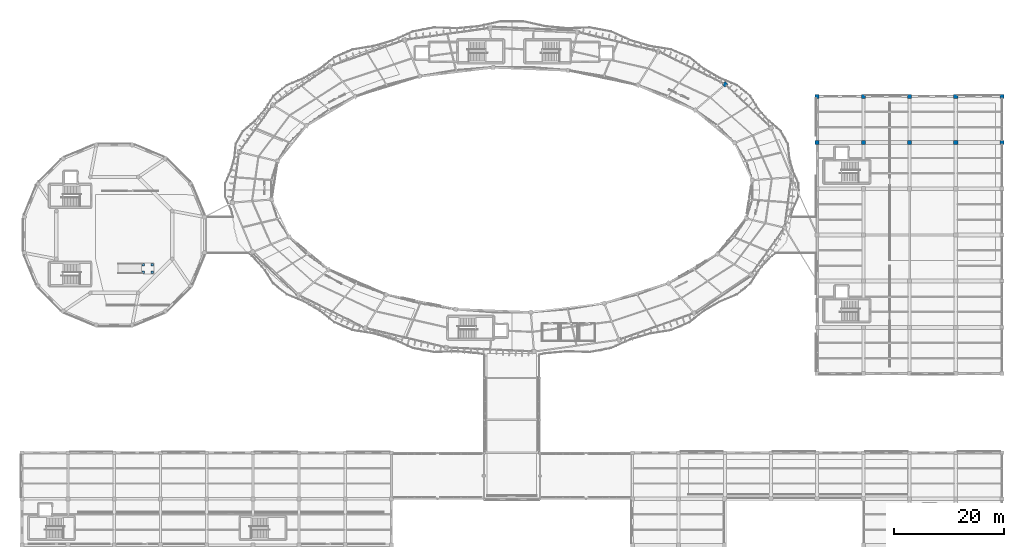
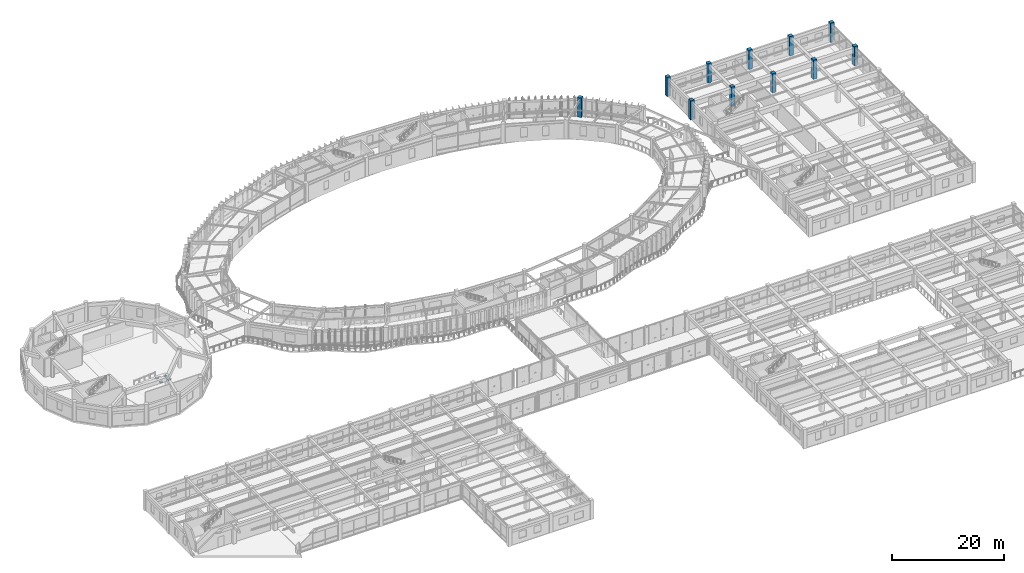
# One storey, part 8 of 152: 15 columns.
"""IFC4 building model written with IfcOpenShell, lengths in metres."""

from ifc_helpers import new_model, si_unit, direction, frame, origin, origin_2d, place, context, subcontext, project, spatial, rectangle, extrude, material, material_profile, profile_set, type_object, element, save


model = new_model("IFC4")

# Units and contexts
model_context = context("Model", 3, precision=1e-05, world=origin(), true_north=direction((0.0, 1.0)))
body_context = subcontext(model_context, "Body", "Model", "MODEL_VIEW")
ifc_project = project(units=[si_unit("LENGTHUNIT", "METRE"), si_unit("AREAUNIT", "SQUARE_METRE"), si_unit("VOLUMEUNIT", "CUBIC_METRE"), si_unit("PLANEANGLEUNIT", "RADIAN"), si_unit("MASSUNIT", "GRAM", prefix="KILO"), si_unit("THERMODYNAMICTEMPERATUREUNIT", "KELVIN"), si_unit("POWERUNIT", "WATT")], contexts=[model_context])

# Site, building, storey
site_placement = place(None, origin())
site = spatial("IfcSite", under=ifc_project, at=site_placement, CompositionType="ELEMENT")
building_placement = place(site_placement, origin())
building = spatial("IfcBuilding", under=site, at=building_placement, Name="Darbajah Civic Hall", CompositionType="ELEMENT")
storey_placement = place(building_placement, frame((0.0, 0.0, 5.39990234375)))
storey = spatial("IfcBuildingStorey", under=building, at=storey_placement, Name="L01", CompositionType="ELEMENT", Elevation=5.39990234375)

# Columns
ifc_material_1 = material(Name="Concrete C45/55", Category="concrete")
ifc_material_profile_1 = material_profile(ifc_material_1, rectangle(XDim=0.5, YDim=0.5, at=origin_2d()), Name="RC COL 500x500")
ifc_profile_set_1 = profile_set([ifc_material_profile_1], Name="Concrete C45/55")
column_type_1 = type_object("IfcColumnType", Name="RC COL 500x500", PredefinedType="COLUMN", material=ifc_profile_set_1)
for number, where, z_axis, x_axis, name in (
    (1, (22.070068359375, 74.800048828125, 0.0), (0.0, 0.0, 1.0), (1.0, 0.0, 0.0), "L01 dais TOP stub 1"),
    (2, (23.719970703125, 74.800048828125, 0.0), (0.0, 0.0, 1.0), (1.0, 0.0, 0.0), "L01 dais TOP stub 2"),
    (3, (22.070068359375, 76.199951171875, 0.0), (0.0, 0.0, 1.0), (1.0, 0.0, 0.0), "L01 dais TOP stub 3"),
    (4, (23.719970703125, 76.199951171875, 0.0), (0.0, 0.0, 1.0), (1.0, 0.0, 0.0), "L01 dais TOP stub 4"),
):
    element("IfcColumn", number, at=place(storey_placement, frame(where, z_axis=z_axis, x_axis=x_axis)), inside=storey, type_object=column_type_1, Name=name, PredefinedType="COLUMN", context=body_context, shape_type="SweptSolid", body=[
        extrude(rectangle(XDim=0.5, YDim=0.5, at=origin_2d()), origin(), (0.0, 0.0, 1.0), 0.16015625),
    ])
ifc_material_2 = material(Name="Concrete C50/60", Category="concrete")
ifc_material_profile_2 = material_profile(ifc_material_2, rectangle(XDim=0.75, YDim=0.75, at=origin_2d()), Name="RC COL 750x750")
ifc_profile_set_2 = profile_set([ifc_material_profile_2], Name="Concrete C50/60")
column_type_2 = type_object("IfcColumnType", Name="RC COL 750x750", PredefinedType="COLUMN", material=ifc_profile_set_2)
for number, where, z_axis, x_axis, name in (
    (5, (127.880615234375, 108.958740234375, 0.0), (0.0, 0.0, 1.0), (0.7604059656, 0.64944804833, 0.0), "L01 column C-RC750"),
    (6, (144.60009765625, 98.39990234375, 0.0), (0.0, 0.0, 1.0), (1.0, 0.0, 0.0), "L01 column C-RC750"),
    (7, (144.60009765625, 106.800048828125, 0.0), (0.0, 0.0, 1.0), (1.0, 0.0, 0.0), "L01 column C-RC750"),
    (8, (153.0, 98.39990234375, 0.0), (0.0, 0.0, 1.0), (1.0, 0.0, 0.0), "L01 column C-RC750"),
    (9, (153.0, 106.800048828125, 0.0), (0.0, 0.0, 1.0), (1.0, 0.0, 0.0), "L01 column C-RC750"),
    (10, (161.39990234375, 98.39990234375, 0.0), (0.0, 0.0, 1.0), (1.0, 0.0, 0.0), "L01 column C-RC750"),
    (11, (161.39990234375, 106.800048828125, 0.0), (0.0, 0.0, 1.0), (1.0, 0.0, 0.0), "L01 column C-RC750"),
    (12, (169.800048828125, 98.39990234375, 0.0), (0.0, 0.0, 1.0), (1.0, 0.0, 0.0), "L01 column C-RC750"),
    (13, (169.800048828125, 106.800048828125, 0.0), (0.0, 0.0, 1.0), (1.0, 0.0, 0.0), "L01 column C-RC750"),
    (14, (178.199951171875, 98.39990234375, 0.0), (0.0, 0.0, 1.0), (1.0, 0.0, 0.0), "L01 column C-RC750"),
    (15, (178.199951171875, 106.800048828125, 0.0), (0.0, 0.0, 1.0), (1.0, 0.0, 0.0), "L01 column C-RC750"),
):
    element("IfcColumn", number, at=place(storey_placement, frame(where, z_axis=z_axis, x_axis=x_axis)), inside=storey, type_object=column_type_2, Name=name, PredefinedType="COLUMN", context=body_context, shape_type="SweptSolid", body=[
        extrude(rectangle(XDim=0.75, YDim=0.75, at=origin_2d()), origin(), (0.0, 0.0, 1.0), 4.2001953125),
    ])

save(model, "model.ifc")
